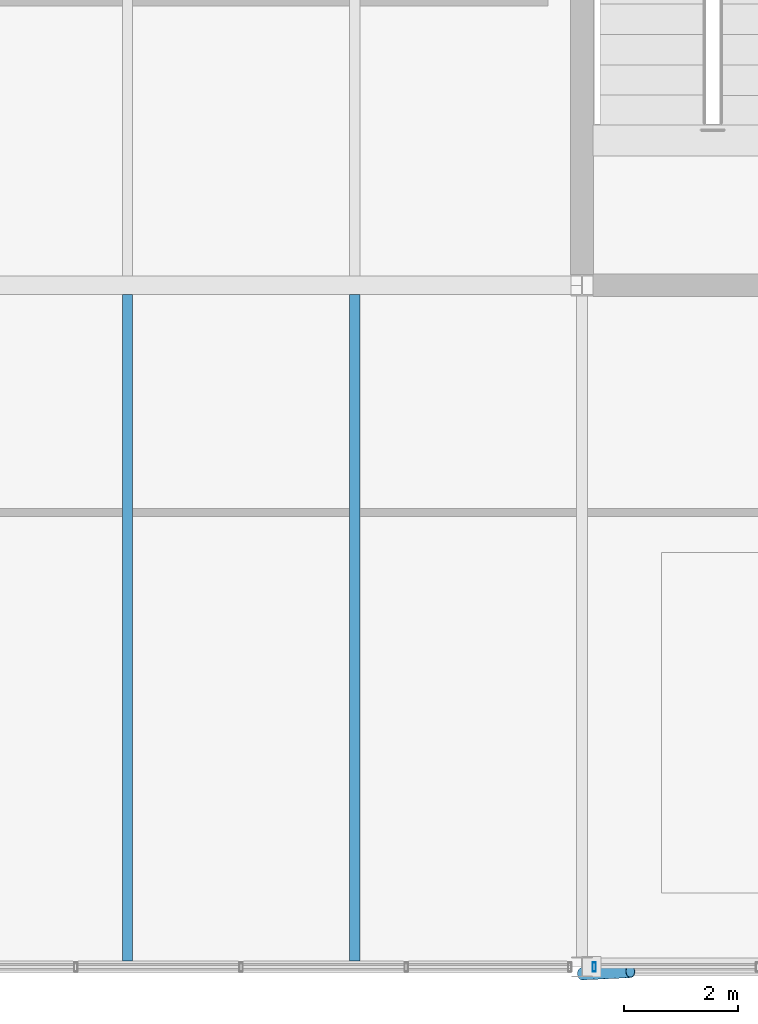
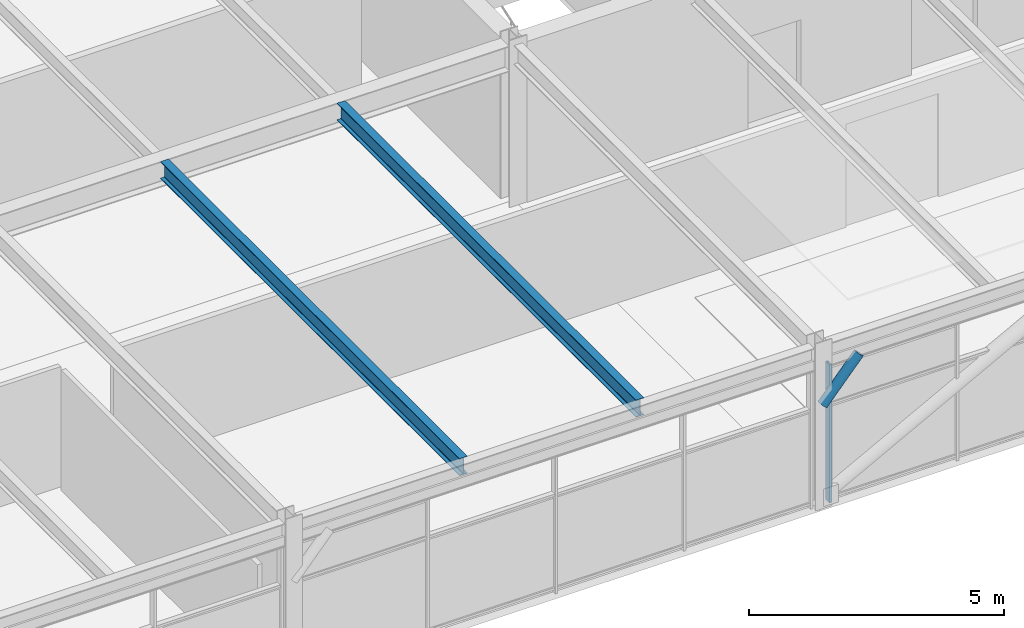
# One storey, part 26 of 40: 2 beams, 2 members, 1 element without a shape of its own.
"""IFC4 building model written with IfcOpenShell, lengths in metres."""

from ifc_helpers import new_model, si_unit, direction, frame, origin, origin_2d, place, context, subcontext, project, spatial, hollow_rectangle, hollow_circle, i_section, extrude, material, material_profile, profile_set, type_object, element, aggregate, save


model = new_model("IFC4")

# Units and contexts
model_context = context("Model", 3, precision=1e-05, world=origin(), true_north=direction((0.0, 1.0)))
body_context = subcontext(model_context, "Body", "Model", "MODEL_VIEW")
ifc_project = project(units=[si_unit("LENGTHUNIT", "METRE"), si_unit("AREAUNIT", "SQUARE_METRE"), si_unit("VOLUMEUNIT", "CUBIC_METRE"), si_unit("PLANEANGLEUNIT", "RADIAN"), si_unit("MASSUNIT", "GRAM", prefix="KILO")], contexts=[model_context])

# Site, building, storey
site_placement = place(None, origin())
site = spatial("IfcSite", under=ifc_project, at=site_placement, CompositionType="ELEMENT")
building_placement = place(site_placement, origin())
building = spatial("IfcBuilding", under=site, at=building_placement, Name="Girod Span Mobility Hub", CompositionType="ELEMENT")
storey_placement = place(building_placement, frame((0.0, 0.0, 57.60009765625)))
storey = spatial("IfcBuildingStorey", under=building, at=storey_placement, Name="L14", CompositionType="ELEMENT", Elevation=57.60009765625)

# Beams
ifc_material_1 = material(Name="Steel A992 Grade 50", Category="steel")
ifc_material_profile_1 = material_profile(ifc_material_1, i_section(OverallWidth=0.178955078125, OverallDepth=0.409912109375, WebThickness=0.0087890625, FlangeThickness=0.014404296875, FilletRadius=0.012939453125, at=origin_2d()), Name="W16X45")
ifc_profile_set_1 = profile_set([ifc_material_profile_1], Name="Steel A992 Grade 50")
beam_type = type_object("IfcBeamType", Name="BM-STL-W16X45", PredefinedType="BEAM", material=ifc_profile_set_1)
for number, where, z_axis, x_axis, name in (
    (1, (100.0, 45.10302734375, 3.64501953125), (0.0, 1.0, 0.0), (-1.0, 0.0, 0.0), "Composite Floorbeam 9/D-1 L14"),
    (2, (104.0, 45.10302734375, 3.64501953125), (0.0, 1.0, 0.0), (-1.0, 0.0, 0.0), "Composite Floorbeam 9/D-2 L14"),
):
    element("IfcBeam", number, at=place(storey_placement, frame(where, z_axis=z_axis, x_axis=x_axis)), inside=storey, type_object=beam_type, Name=name, PredefinedType="BEAM", context=body_context, shape_type="SweptSolid", body=[
        extrude(i_section(OverallWidth=0.178955078125, OverallDepth=0.409912109375, WebThickness=0.0087890625, FlangeThickness=0.014404296875, FilletRadius=0.012939453125, at=origin_2d()), origin(), (0.0, 0.0, 1.0), 11.738037109375),
    ])

# Curtain wall, member
ifc_material_2 = material(Name="Thermally Broken Anodised Aluminium", Category="aluminium")
curtain_wall_type = type_object("IfcCurtainWallType", Name="CW-1164X331", PredefinedType="USERDEFINED", material=ifc_material_2)
curtain_wall_placement = place(storey_placement, origin())
curtain_wall = element("IfcCurtainWall", 3, at=curtain_wall_placement, inside=storey, type_object=curtain_wall_type, Name="Unitised Curtain Wall CW-L14-S10 L14", ObjectType="UNITISED CURTAIN WALL", PredefinedType="USERDEFINED")
ifc_material_3 = material(Name="Thermally Broken Anodised Aluminium", Category="aluminium")
ifc_material_profile_2 = material_profile(ifc_material_3, hollow_rectangle(XDim=0.159912109375, YDim=0.06005859375, WallThickness=0.00341796875, InnerFilletRadius=0.00341796875, OuterFilletRadius=0.007080078125, at=origin_2d()), Name="CW-ML-60X160")
ifc_profile_set_2 = profile_set([ifc_material_profile_2], Name="Thermally Broken Anodised Aluminium")
member_type_1 = type_object("IfcMemberType", Name="CWM-ML-3", PredefinedType="MULLION", material=ifc_profile_set_2)
member_1_placement = place(storey_placement, frame((108.214599609375, 45.0, 0.0), z_axis=(0.0, 0.0, 1.0), x_axis=(0.0, 1.0, 0.0)))
member_1 = element("IfcMember", 4, at=member_1_placement, type_object=member_type_1, Name="Curtain Wall Mullion CW-L14-S10-M0", PredefinedType="MULLION", context=body_context, shape_type="SweptSolid", body=[
    extrude(hollow_rectangle(XDim=0.159912109375, YDim=0.06005859375, WallThickness=0.00341796875, InnerFilletRadius=0.00341796875, OuterFilletRadius=0.007080078125, at=origin_2d()), origin(), (0.0, 0.0, 1.0), 3.305908203125),
])
aggregate(curtain_wall, [member_1])

# Member
ifc_material_4 = material(Name="Steel HSS A500 Grade C", Category="steel")
ifc_material_profile_3 = material_profile(ifc_material_4, hollow_circle(Radius=0.109619140625, WallThickness=0.0087890625, at=origin_2d()), Name="HSS219X9.5")
ifc_profile_set_3 = profile_set([ifc_material_profile_3], Name="Steel HSS A500 Grade C")
member_type_2 = type_object("IfcMemberType", Name="MB-ST-HSS219", PredefinedType="STRUT", material=ifc_profile_set_3)
member_2_placement = place(storey_placement, frame((108.0, 44.8798828125, 2.449951171875), z_axis=(0.678338294934, 0.031949305103, 0.734054766029), x_axis=(-0.047047213483, 0.998892666758, 0.0)))
element("IfcMember", 5, at=member_2_placement, inside=storey, type_object=member_type_2, Name="Solar Shading Knee Strut 10 L14", PredefinedType="STRUT", context=body_context, shape_type="SweptSolid", body=[
    extrude(hollow_circle(Radius=0.109619140625, WallThickness=0.0087890625, at=origin_2d()), origin(), (0.0, 0.0, 1.0), 1.253173828125),
])

save(model, "model.ifc")
